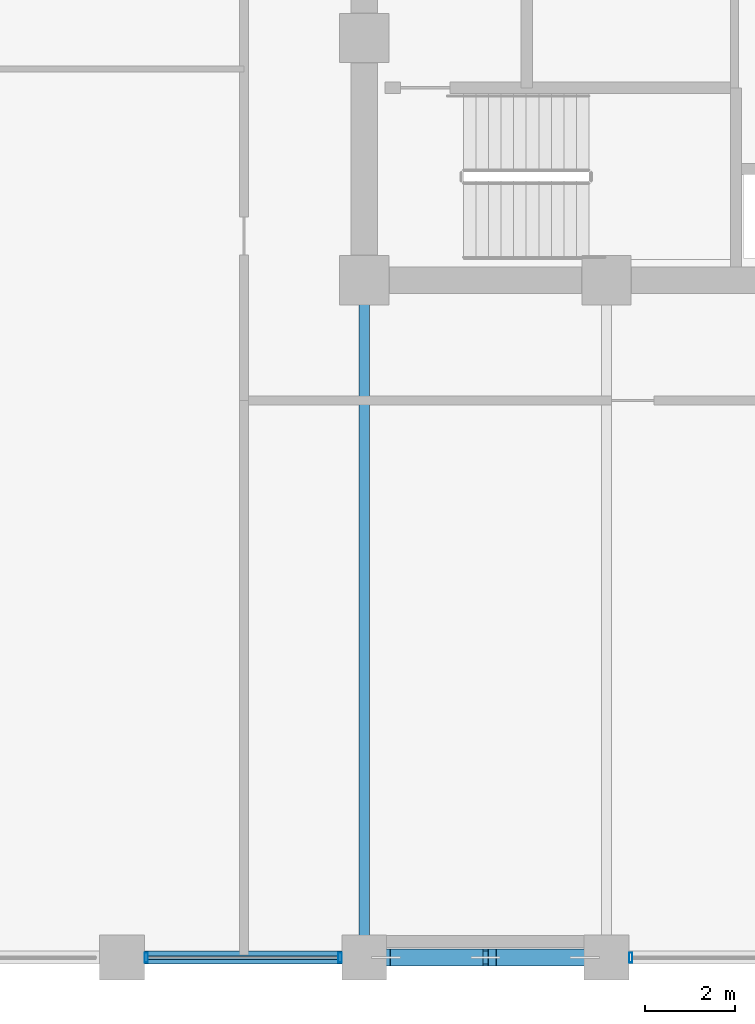
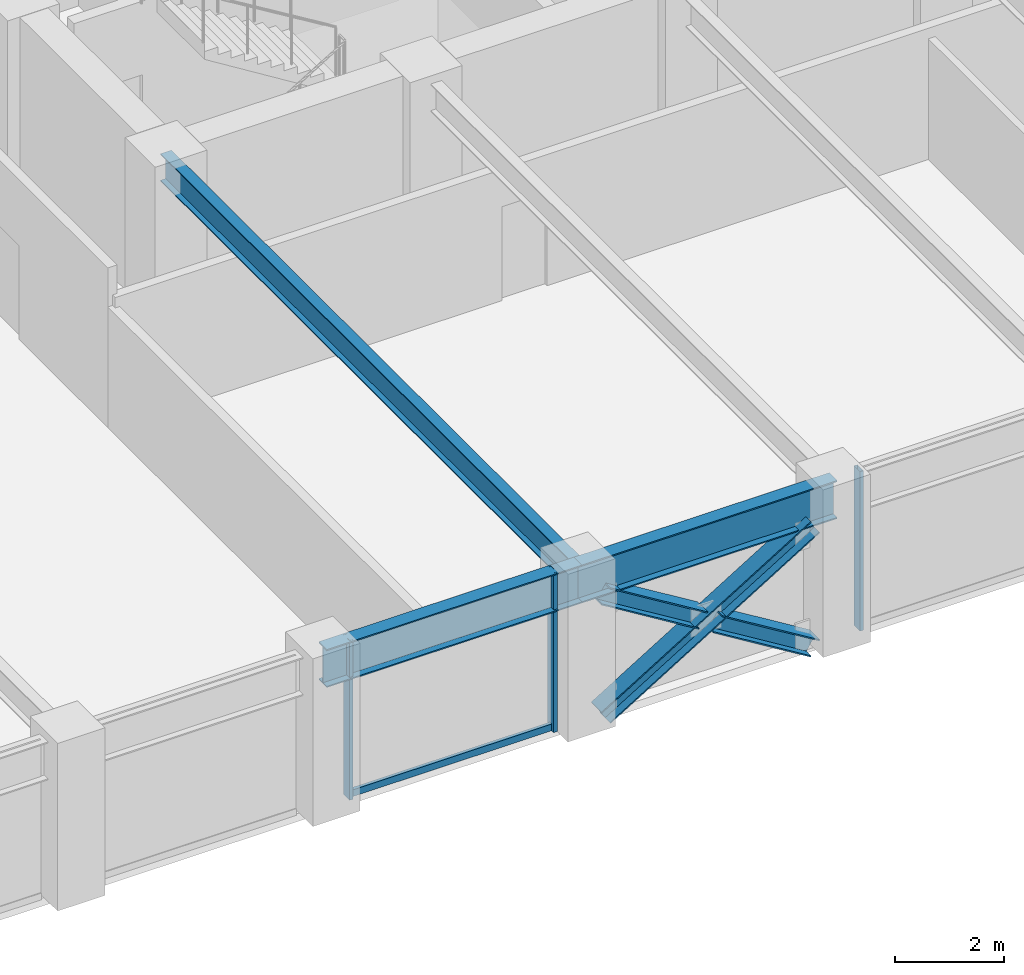
# One storey, part 4 of 25: 7 members, 3 beams, 2 elements without a shape of their own.
"""IFC4 building model written with IfcOpenShell, lengths in metres."""

import ifcopenshell
import ifcopenshell.guid

model = None  # the IFC model being written
_history = None  # IfcOwnerHistory: only IFC2X3 demands one
_inside = {}  # id of a spatial element -> (the spatial element, [elements in it])
_under = {}  # id of a project, library or spatial element -> (it, [spatial elements below it])
_declared = {}  # id of a project -> (the project, [libraries it declares])
_typed = {}  # id of a type object -> (the type object, [elements of that type])
_made_of = {}  # id of a material, layer set ... -> (it, [elements and type objects made of it])


def new_model(schema):
    """Start an empty IFC model of exactly this schema.

    Asked for "IFC4X3", IfcOpenShell would pick the latest addendum, in which some entities
    have other attributes; the version numbers below select the first issue.
    IFC2X3 requires an IfcOwnerHistory on every rooted entity: one is made here for all.
    """
    global model, _history
    if schema == "IFC4X3":
        model = ifcopenshell.file(schema_version=(4, 3, 0, 0))
    else:
        model = ifcopenshell.file(schema=schema)
    _inside.clear()
    _under.clear()
    _declared.clear()
    _typed.clear()
    _made_of.clear()
    _history = None
    if model.schema == "IFC2X3":
        org = make("IfcOrganization", Name="unknown")
        user = make(
            "IfcPersonAndOrganization",
            ThePerson=make("IfcPerson", FamilyName="unknown"),
            TheOrganization=org,
        )
        app = make(
            "IfcApplication",
            ApplicationDeveloper=org,
            Version="unknown",
            ApplicationFullName="unknown",
            ApplicationIdentifier="unknown",
        )
        _history = make(
            "IfcOwnerHistory",
            OwningUser=user,
            OwningApplication=app,
            ChangeAction="ADDED",
            CreationDate=0,
        )
    return model


def make(cls, **values):
    """One entity of the class cls with the attributes given. An attribute that is None is left unset."""
    return model.create_entity(
        cls, **{name: value for name, value in values.items() if value is not None}
    )


def rooted(cls, **values):
    """An entity with a GlobalId (a new one), such as an element, a storey or a relation."""
    return make(cls, GlobalId=ifcopenshell.guid.new(), OwnerHistory=_history, **values)


def si_unit(unit_type, name, prefix=None):
    """IfcSIUnit, for example si_unit("LENGTHUNIT", "METRE", prefix="MILLI")."""
    return make("IfcSIUnit", UnitType=unit_type, Prefix=prefix, Name=name)


def assignment(units):
    """IfcUnitAssignment: the units of a project."""
    return None if units is None else make("IfcUnitAssignment", Units=units)


def point(xyz):
    """IfcCartesianPoint."""
    return None if xyz is None else make("IfcCartesianPoint", Coordinates=xyz)


def direction(xyz):
    """IfcDirection."""
    return None if xyz is None else make("IfcDirection", DirectionRatios=xyz)


def frame(location, z_axis=None, x_axis=None):
    """IfcAxis2Placement3D, a coordinate frame: its origin and axes. An axis left out is left unset."""
    return make(
        "IfcAxis2Placement3D",
        Location=point(location),
        Axis=direction(z_axis),
        RefDirection=direction(x_axis),
    )


def frame_2d(location, x_axis=None):
    """IfcAxis2Placement2D, a coordinate frame in the plane: its origin and x axis."""
    return make(
        "IfcAxis2Placement2D", Location=point(location), RefDirection=direction(x_axis)
    )


def origin():
    """The frame at (0, 0, 0) with its axes left unset."""
    return frame((0.0, 0.0, 0.0))


def origin_2d():
    """The frame at (0, 0) in the plane with its x axis left unset."""
    return frame_2d((0.0, 0.0))


def place(relative_to, where):
    """IfcLocalPlacement: puts the frame where relative to a parent placement (None: the world)."""
    return make(
        "IfcLocalPlacement", PlacementRelTo=relative_to, RelativePlacement=where
    )


def context(
    kind, dimensions, precision=None, world=None, true_north=None, identifier=None
):
    """IfcGeometricRepresentationContext, for example the 3D "Model" context."""
    return make(
        "IfcGeometricRepresentationContext",
        ContextIdentifier=identifier,
        ContextType=kind,
        CoordinateSpaceDimension=dimensions,
        Precision=precision,
        WorldCoordinateSystem=world,
        TrueNorth=true_north,
    )


def subcontext(parent, identifier, kind, view, scale=None):
    """IfcGeometricRepresentationSubContext, for example "Body" below "Model"."""
    return make(
        "IfcGeometricRepresentationSubContext",
        ContextIdentifier=identifier,
        ContextType=kind,
        ParentContext=parent,
        TargetScale=scale,
        TargetView=view,
    )


def project(units=None, contexts=None):
    """IfcProject with its units and contexts."""
    return rooted(
        "IfcProject",
        Name="project",
        RepresentationContexts=contexts,
        UnitsInContext=assignment(units),
    )


def spatial(cls, under=None, at=None, **own):
    """A site, building, storey or space (cls), placed at a placement, below another one or the project."""
    s = rooted(cls, ObjectPlacement=at, **own)
    if under is not None:
        _under.setdefault(under.id(), (under, []))[1].append(s)
    return s


def profile(cls, at=None, kind="AREA", **sizes):
    """A parametric profile (cls). Its sizes go by their IFC names, for example OverallWidth=200.0."""
    return make(cls, ProfileType=kind, Position=at, **sizes)


def hollow_rectangle(**sizes):
    """IfcRectangleHollowProfileDef."""
    return profile("IfcRectangleHollowProfileDef", **sizes)


def i_section(**sizes):
    """IfcIShapeProfileDef."""
    return profile("IfcIShapeProfileDef", **sizes)


def extrude(swept, where, along, depth):
    """IfcExtrudedAreaSolid: the profile swept, set in the frame where, extruded along a direction by depth."""
    return make(
        "IfcExtrudedAreaSolid",
        SweptArea=swept,
        Position=where,
        ExtrudedDirection=direction(along),
        Depth=depth,
    )


def shape(context_of_items, identifier, shape_type, items):
    """IfcShapeRepresentation: the items that make up one representation, for example the "Body"."""
    return make(
        "IfcShapeRepresentation",
        ContextOfItems=context_of_items,
        RepresentationIdentifier=identifier,
        RepresentationType=shape_type,
        Items=items,
    )


def material(Name=None, Category=None):
    """IfcMaterial."""
    return make("IfcMaterial", Name=Name, Category=Category)


def layer(
    of_material, thickness, ventilated=None, Name=None, Category=None, Priority=None
):
    """IfcMaterialLayer: one layer of a wall or slab, of a material (None: an air gap)."""
    return make(
        "IfcMaterialLayer",
        Material=of_material,
        LayerThickness=thickness,
        IsVentilated=ventilated,
        Name=Name,
        Category=Category,
        Priority=Priority,
    )


def layer_set(layers, Name=None):
    """IfcMaterialLayerSet."""
    return make("IfcMaterialLayerSet", MaterialLayers=layers, LayerSetName=Name)


def material_profile(
    of_material, cross_section, Name=None, Category=None, Priority=None
):
    """IfcMaterialProfile: a cross section and its material."""
    return make(
        "IfcMaterialProfile",
        Name=Name,
        Material=of_material,
        Profile=cross_section,
        Priority=Priority,
        Category=Category,
    )


def profile_set(profiles, Name=None, composite=None):
    """IfcMaterialProfileSet."""
    return make(
        "IfcMaterialProfileSet",
        Name=Name,
        MaterialProfiles=profiles,
        CompositeProfile=composite,
    )


def made_of(thing, what):
    """Note that an element or type object is made of a material, layer set ...; save() writes the relation."""
    if what is not None:
        _made_of.setdefault(what.id(), (what, []))[1].append(thing)
    return thing


def type_object(cls, material=None, **own):
    """A type object (cls), such as IfcWallType, which elements share."""
    return made_of(rooted(cls, **own), material)


def element(
    cls,
    number,
    at=None,
    inside=None,
    cuts=None,
    type_object=None,
    material=None,
    context=None,
    identifier="Body",
    shape_type=None,
    held_by="IfcProductDefinitionShape",
    body=None,
    shapes=None,
    **own,
):
    """One element of the class cls, such as IfcWall. Its Tag is "e" and its number.

    at: its placement. inside: the storey or other place that contains it. cuts: it is an
    opening in that element (IfcRelVoidsElement). A single representation is given by context,
    identifier, shape_type and body (its items); several are given by shapes. held_by: the class
    of the entity that holds the representations. save() writes the other relations.
    """
    e = rooted(cls, Tag="e%d" % number, ObjectPlacement=at, **own)
    if body is not None:
        shapes = [shape(context, identifier, shape_type, body)]
    if shapes is not None:
        e.Representation = make(held_by, Representations=shapes)
    if inside is not None:
        _inside.setdefault(inside.id(), (inside, []))[1].append(e)
    if cuts is not None:
        rooted(
            "IfcRelVoidsElement", RelatingBuildingElement=cuts, RelatedOpeningElement=e
        )
    if type_object is not None:
        _typed.setdefault(type_object.id(), (type_object, []))[1].append(e)
    return made_of(e, material)


def aggregate(whole, parts):
    """IfcRelAggregates: a whole, such as a stair, and the parts it consists of."""
    return rooted("IfcRelAggregates", RelatingObject=whole, RelatedObjects=parts)


def save(model, path):
    """Write the relations noted so far, then the file.

    IfcRelAggregates (storeys below a building ...), IfcRelContainedInSpatialStructure (elements
    in a storey), IfcRelDefinesByType, IfcRelAssociatesMaterial and IfcRelDeclares: one each for
    every whole, place, type object, material and project.
    """
    for whole, parts in _under.values():
        aggregate(whole, parts)
    for where, things in _inside.values():
        rooted(
            "IfcRelContainedInSpatialStructure",
            RelatedElements=things,
            RelatingStructure=where,
        )
    for kind, things in _typed.values():
        rooted("IfcRelDefinesByType", RelatedObjects=things, RelatingType=kind)
    for what, things in _made_of.values():
        rooted("IfcRelAssociatesMaterial", RelatedObjects=things, RelatingMaterial=what)
    for by, libraries in _declared.values():
        rooted("IfcRelDeclares", RelatingContext=by, RelatedDefinitions=libraries)
    model.write(path)


model = new_model("IFC4")

# Units and contexts
model_context = context("Model", 3, precision=1e-05, world=origin(), true_north=direction((0.0, 1.0)))
body_context = subcontext(model_context, "Body", "Model", "MODEL_VIEW")
ifc_project = project(units=[si_unit("LENGTHUNIT", "METRE"), si_unit("AREAUNIT", "SQUARE_METRE"), si_unit("VOLUMEUNIT", "CUBIC_METRE"), si_unit("PLANEANGLEUNIT", "RADIAN"), si_unit("MASSUNIT", "GRAM", prefix="KILO")], contexts=[model_context])

# Site, building, storey
site_placement = place(None, origin())
site = spatial("IfcSite", under=ifc_project, at=site_placement, CompositionType="ELEMENT")
building_placement = place(site_placement, origin())
building = spatial("IfcBuilding", under=site, at=building_placement, Name="Surkhivell Harbour Commons", CompositionType="ELEMENT")
storey_placement = place(building_placement, frame((0.0, 0.0, 139.5)))
storey = spatial("IfcBuildingStorey", under=building, at=storey_placement, Name="L36", CompositionType="ELEMENT", Elevation=139.5)

# Beams
ifc_material_1 = material(Name="Steel S355", Category="steel")
ifc_material_profile_1 = material_profile(ifc_material_1, i_section(OverallWidth=0.22998046875, OverallDepth=0.616943359375, WebThickness=0.01318359375, FlangeThickness=0.022216796875, at=origin_2d()), Name="UB610x229x140")
ifc_profile_set_1 = profile_set([ifc_material_profile_1], Name="Steel S355")
beam_type_1 = type_object("IfcBeamType", Name="BM-GRD-610B", PredefinedType="BEAM", material=ifc_profile_set_1)
beam_1_placement = place(storey_placement, frame((-10.800048828125, -25.89990234375, 3.261474609375), z_axis=(0.0, 1.0, 0.0), x_axis=(-1.0, 0.0, 0.0)))
element("IfcBeam", 1, at=beam_1_placement, inside=storey, type_object=beam_type_1, Name="L36 Floor Girder (-10.8,-25.9)", PredefinedType="BEAM", context=body_context, shape_type="SweptSolid", body=[
    extrude(i_section(OverallWidth=0.22998046875, OverallDepth=0.616943359375, WebThickness=0.01318359375, FlangeThickness=0.022216796875, at=origin_2d()), origin(), (0.0, 0.0, 1.0), 15.099853515625),
])
ifc_material_2 = material(Name="Steel S460", Category="steel")
ifc_material_profile_2 = material_profile(ifc_material_2, i_section(OverallWidth=0.2939453125, OverallDepth=0.85107421875, WebThickness=0.01611328125, FlangeThickness=0.02685546875, at=origin_2d()), Name="UB838x292x226")
ifc_profile_set_2 = profile_set([ifc_material_profile_2], Name="Steel S460")
beam_type_2 = type_object("IfcBeamType", Name="BM-SPN-838", PredefinedType="SPANDREL", material=ifc_profile_set_2)
beam_2_placement = place(storey_placement, frame((-16.199951171875, -25.89990234375, 3.14453125), z_axis=(1.0, 0.0, 0.0), x_axis=(0.0, 1.0, 0.0)))
element("IfcBeam", 2, at=beam_2_placement, inside=storey, type_object=beam_type_2, Name="L36 Tube Spandrel (-16.2,-25.9)", PredefinedType="SPANDREL", context=body_context, shape_type="SweptSolid", body=[
    extrude(i_section(OverallWidth=0.2939453125, OverallDepth=0.85107421875, WebThickness=0.01611328125, FlangeThickness=0.02685546875, at=origin_2d()), origin(), (0.0, 0.0, 1.0), 5.39990234375),
])
beam_3_placement = place(storey_placement, frame((-10.800048828125, -25.89990234375, 3.14453125), z_axis=(1.0, 0.0, 0.0), x_axis=(0.0, 1.0, 0.0)))
element("IfcBeam", 3, at=beam_3_placement, inside=storey, type_object=beam_type_2, Name="L36 Tube Spandrel (-10.8,-25.9)", PredefinedType="SPANDREL", context=body_context, shape_type="SweptSolid", body=[
    extrude(i_section(OverallWidth=0.2939453125, OverallDepth=0.85107421875, WebThickness=0.01611328125, FlangeThickness=0.02685546875, at=origin_2d()), origin(), (0.0, 0.0, 1.0), 5.400146484375),
])

# Curtain wall, members
ifc_material_3 = material(Name="Anodised pale-metal aluminium and insulated glazing", Category="aluminium")
ifc_layer = layer(ifc_material_3, 0.205078125)
ifc_layer_set = layer_set([ifc_layer], Name="Anodised pale-metal aluminium and insulated glazing")
curtain_wall_type = type_object("IfcCurtainWallType", Name="CW-SYS-Z2", PredefinedType="NOTDEFINED", material=ifc_layer_set)
curtain_wall_1_placement = place(storey_placement, origin())
curtain_wall_1 = element("IfcCurtainWall", 4, at=curtain_wall_1_placement, inside=storey, type_object=curtain_wall_type, Name="L36 Curtain Wall CW-L36-E00S1", PredefinedType="NOTDEFINED")
ifc_material_4 = material(Name="Anodised pale-metal aluminium alloy 6063-T6", Category="aluminium")
ifc_material_profile_3 = material_profile(ifc_material_4, hollow_rectangle(XDim=0.074951171875, YDim=0.219970703125, WallThickness=0.00390625, at=origin_2d()), Name="ALU-MULL-75x220")
ifc_profile_set_3 = profile_set([ifc_material_profile_3], Name="Anodised pale-metal aluminium alloy 6063-T6")
member_type_1 = type_object("IfcMemberType", Name="CWM-220", PredefinedType="MULLION", material=ifc_profile_set_3)
member_1_placement = place(storey_placement, frame((-15.660400390625, -25.89990234375, 0.0), z_axis=(0.0, 0.0, 1.0), x_axis=(1.0, 0.0, 0.0)))
member_1 = element("IfcMember", 5, at=member_1_placement, type_object=member_type_1, Name="CW-Z2 mullion 3", PredefinedType="MULLION", context=body_context, shape_type="SweptSolid", body=[
    extrude(hollow_rectangle(XDim=0.074951171875, YDim=0.219970703125, WallThickness=0.00390625, at=origin_2d()), origin(), (0.0, 0.0, 1.0), 3.570068359375),
])
member_2_placement = place(storey_placement, frame((-11.339599609375, -25.89990234375, 0.0), z_axis=(0.0, 0.0, 1.0), x_axis=(1.0, 0.0, 0.0)))
member_2 = element("IfcMember", 6, at=member_2_placement, type_object=member_type_1, Name="CW-Z2 mullion 4", PredefinedType="MULLION", context=body_context, shape_type="SweptSolid", body=[
    extrude(hollow_rectangle(XDim=0.074951171875, YDim=0.219970703125, WallThickness=0.00390625, at=origin_2d()), origin(), (0.0, 0.0, 1.0), 3.570068359375),
])

# Curtain wall, member
curtain_wall_2_placement = place(storey_placement, origin())
curtain_wall_2 = element("IfcCurtainWall", 7, at=curtain_wall_2_placement, inside=storey, type_object=curtain_wall_type, Name="L36 Curtain Wall CW-L36-E00S2", PredefinedType="NOTDEFINED")
member_3_placement = place(storey_placement, frame((-4.860595703125, -25.89990234375, 0.0), z_axis=(0.0, 0.0, 1.0), x_axis=(1.0, 0.0, 0.0)))
member_3 = element("IfcMember", 8, at=member_3_placement, type_object=member_type_1, Name="CW-Z2 mullion 1", PredefinedType="MULLION", context=body_context, shape_type="SweptSolid", body=[
    extrude(hollow_rectangle(XDim=0.074951171875, YDim=0.219970703125, WallThickness=0.00390625, at=origin_2d()), origin(), (0.0, 0.0, 1.0), 3.570068359375),
])
aggregate(curtain_wall_2, [member_3])

# Member
ifc_material_profile_4 = material_profile(ifc_material_4, hollow_rectangle(XDim=0.074951171875, YDim=0.14990234375, WallThickness=0.00341796875, at=origin_2d()), Name="ALU-TRAN-75x150")
ifc_profile_set_4 = profile_set([ifc_material_profile_4], Name="Anodised pale-metal aluminium alloy 6063-T6")
member_type_2 = type_object("IfcMemberType", Name="CWT-150", PredefinedType="USERDEFINED", material=ifc_profile_set_4)
member_4_placement = place(storey_placement, frame((-15.623046875, -25.89990234375, 0.074951171875), z_axis=(1.0, 0.0, 0.0), x_axis=(0.0, 1.0, 0.0)))
member_4 = element("IfcMember", 9, at=member_4_placement, type_object=member_type_2, Name="CW-Z2 transom 3.1", ObjectType="TRANSOM", PredefinedType="USERDEFINED", context=body_context, shape_type="SweptSolid", body=[
    extrude(hollow_rectangle(XDim=0.074951171875, YDim=0.14990234375, WallThickness=0.00341796875, at=origin_2d()), origin(), (0.0, 0.0, 1.0), 4.24609375),
])

aggregate(curtain_wall_1, [member_1, member_2, member_4])

# Members
ifc_material_profile_5 = material_profile(ifc_material_2, i_section(OverallWidth=0.375, OverallDepth=0.375, WebThickness=0.0166015625, FlangeThickness=0.027099609375, at=origin_2d()), Name="UC356x368x202")
ifc_profile_set_5 = profile_set([ifc_material_profile_5], Name="Steel S460")
member_type_3 = type_object("IfcMemberType", Name="MEM-BRC-UC356", PredefinedType="BRACE", material=ifc_profile_set_5)
member_5_placement = place(storey_placement, frame((-10.31494140625, -25.89990234375, 0.008056640625), z_axis=(0.852624888477, 0.0, 0.522523491864), x_axis=(0.0, 1.0, 0.0)))
element("IfcMember", 10, at=member_5_placement, inside=storey, type_object=member_type_3, Name="L36 Perimeter Mega-Brace MB- 07", PredefinedType="BRACE", context=body_context, shape_type="SweptSolid", body=[
    extrude(i_section(OverallWidth=0.375, OverallDepth=0.375, WebThickness=0.0166015625, FlangeThickness=0.027099609375, at=origin_2d()), origin(), (0.0, 0.0, 1.0), 5.195556640625),
])
member_6_placement = place(storey_placement, frame((-5.885009765625, -25.89990234375, 0.008056640625), z_axis=(-0.852617215241, 0.0, 0.52253601242), x_axis=(0.0, -1.0, 0.0)))
element("IfcMember", 11, at=member_6_placement, inside=storey, type_object=member_type_3, Name="L36 Perimeter Mega-Brace MB- 08", PredefinedType="BRACE", context=body_context, shape_type="SweptSolid", body=[
    extrude(i_section(OverallWidth=0.375, OverallDepth=0.375, WebThickness=0.0166015625, FlangeThickness=0.027099609375, at=origin_2d()), origin(), (0.0, 0.0, 1.0), 2.41796875),
])
member_7_placement = place(storey_placement, frame((-8.25341796875, -25.89990234375, 1.459716796875), z_axis=(-0.852662200332, 0.0, 0.522462603567), x_axis=(0.0, -1.0, 0.0)))
element("IfcMember", 12, at=member_7_placement, inside=storey, type_object=member_type_3, Name="L36 Perimeter Mega-Brace MB- 09", PredefinedType="BRACE", context=body_context, shape_type="SweptSolid", body=[
    extrude(i_section(OverallWidth=0.375, OverallDepth=0.375, WebThickness=0.0166015625, FlangeThickness=0.027099609375, at=origin_2d()), origin(), (0.0, 0.0, 1.0), 2.417724609375),
])

save(model, "model.ifc")
